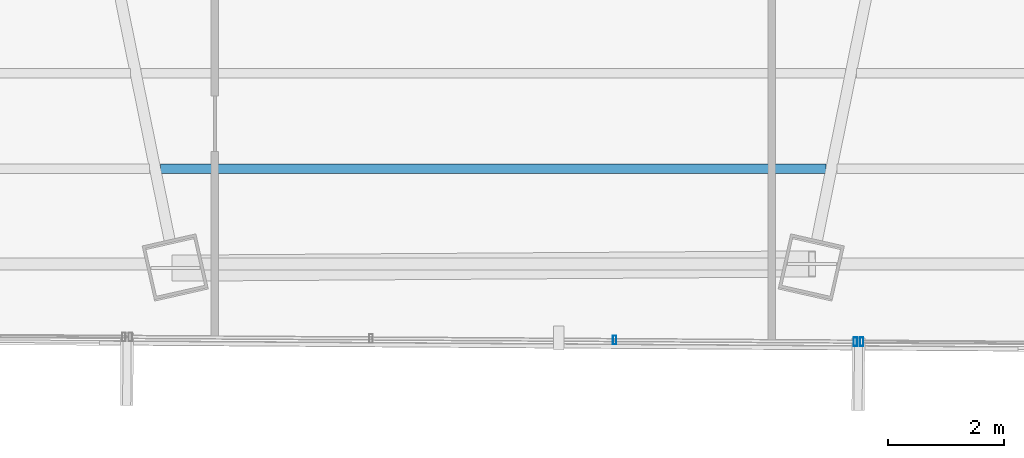
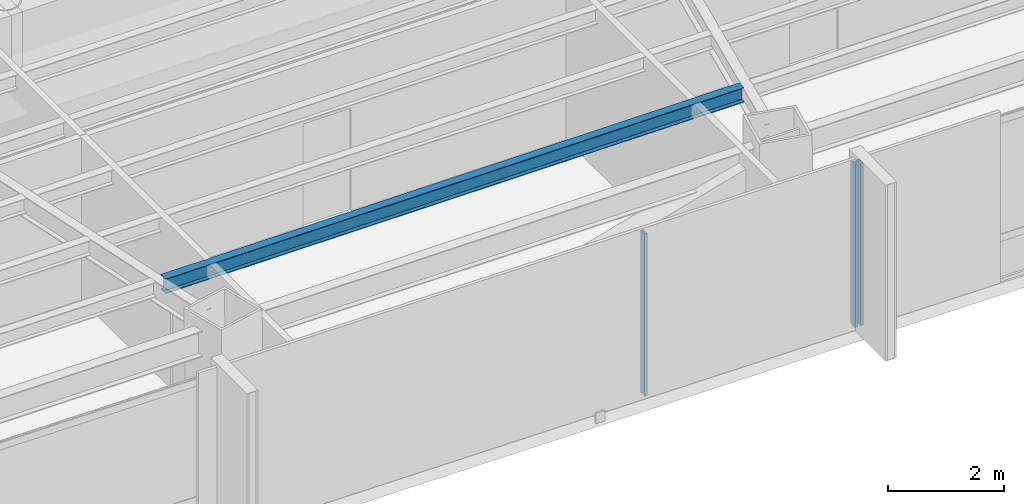
# One storey, part 10 of 41: 3 members, 1 beam, 2 elements without a shape of their own.
"""IFC4 building model written with IfcOpenShell, lengths in metres."""

import ifcopenshell
import ifcopenshell.guid

model = None  # the IFC model being written
_history = None  # IfcOwnerHistory: only IFC2X3 demands one
_inside = {}  # id of a spatial element -> (the spatial element, [elements in it])
_under = {}  # id of a project, library or spatial element -> (it, [spatial elements below it])
_declared = {}  # id of a project -> (the project, [libraries it declares])
_typed = {}  # id of a type object -> (the type object, [elements of that type])
_made_of = {}  # id of a material, layer set ... -> (it, [elements and type objects made of it])


def new_model(schema):
    """Start an empty IFC model of exactly this schema.

    Asked for "IFC4X3", IfcOpenShell would pick the latest addendum, in which some entities
    have other attributes; the version numbers below select the first issue.
    IFC2X3 requires an IfcOwnerHistory on every rooted entity: one is made here for all.
    """
    global model, _history
    if schema == "IFC4X3":
        model = ifcopenshell.file(schema_version=(4, 3, 0, 0))
    else:
        model = ifcopenshell.file(schema=schema)
    _inside.clear()
    _under.clear()
    _declared.clear()
    _typed.clear()
    _made_of.clear()
    _history = None
    if model.schema == "IFC2X3":
        org = make("IfcOrganization", Name="unknown")
        user = make(
            "IfcPersonAndOrganization",
            ThePerson=make("IfcPerson", FamilyName="unknown"),
            TheOrganization=org,
        )
        app = make(
            "IfcApplication",
            ApplicationDeveloper=org,
            Version="unknown",
            ApplicationFullName="unknown",
            ApplicationIdentifier="unknown",
        )
        _history = make(
            "IfcOwnerHistory",
            OwningUser=user,
            OwningApplication=app,
            ChangeAction="ADDED",
            CreationDate=0,
        )
    return model


def make(cls, **values):
    """One entity of the class cls with the attributes given. An attribute that is None is left unset."""
    return model.create_entity(
        cls, **{name: value for name, value in values.items() if value is not None}
    )


def rooted(cls, **values):
    """An entity with a GlobalId (a new one), such as an element, a storey or a relation."""
    return make(cls, GlobalId=ifcopenshell.guid.new(), OwnerHistory=_history, **values)


def si_unit(unit_type, name, prefix=None):
    """IfcSIUnit, for example si_unit("LENGTHUNIT", "METRE", prefix="MILLI")."""
    return make("IfcSIUnit", UnitType=unit_type, Prefix=prefix, Name=name)


def assignment(units):
    """IfcUnitAssignment: the units of a project."""
    return None if units is None else make("IfcUnitAssignment", Units=units)


def point(xyz):
    """IfcCartesianPoint."""
    return None if xyz is None else make("IfcCartesianPoint", Coordinates=xyz)


def direction(xyz):
    """IfcDirection."""
    return None if xyz is None else make("IfcDirection", DirectionRatios=xyz)


def frame(location, z_axis=None, x_axis=None):
    """IfcAxis2Placement3D, a coordinate frame: its origin and axes. An axis left out is left unset."""
    return make(
        "IfcAxis2Placement3D",
        Location=point(location),
        Axis=direction(z_axis),
        RefDirection=direction(x_axis),
    )


def frame_2d(location, x_axis=None):
    """IfcAxis2Placement2D, a coordinate frame in the plane: its origin and x axis."""
    return make(
        "IfcAxis2Placement2D", Location=point(location), RefDirection=direction(x_axis)
    )


def origin():
    """The frame at (0, 0, 0) with its axes left unset."""
    return frame((0.0, 0.0, 0.0))


def origin_2d():
    """The frame at (0, 0) in the plane with its x axis left unset."""
    return frame_2d((0.0, 0.0))


def place(relative_to, where):
    """IfcLocalPlacement: puts the frame where relative to a parent placement (None: the world)."""
    return make(
        "IfcLocalPlacement", PlacementRelTo=relative_to, RelativePlacement=where
    )


def context(
    kind, dimensions, precision=None, world=None, true_north=None, identifier=None
):
    """IfcGeometricRepresentationContext, for example the 3D "Model" context."""
    return make(
        "IfcGeometricRepresentationContext",
        ContextIdentifier=identifier,
        ContextType=kind,
        CoordinateSpaceDimension=dimensions,
        Precision=precision,
        WorldCoordinateSystem=world,
        TrueNorth=true_north,
    )


def subcontext(parent, identifier, kind, view, scale=None):
    """IfcGeometricRepresentationSubContext, for example "Body" below "Model"."""
    return make(
        "IfcGeometricRepresentationSubContext",
        ContextIdentifier=identifier,
        ContextType=kind,
        ParentContext=parent,
        TargetScale=scale,
        TargetView=view,
    )


def project(units=None, contexts=None):
    """IfcProject with its units and contexts."""
    return rooted(
        "IfcProject",
        Name="project",
        RepresentationContexts=contexts,
        UnitsInContext=assignment(units),
    )


def spatial(cls, under=None, at=None, **own):
    """A site, building, storey or space (cls), placed at a placement, below another one or the project."""
    s = rooted(cls, ObjectPlacement=at, **own)
    if under is not None:
        _under.setdefault(under.id(), (under, []))[1].append(s)
    return s


def profile(cls, at=None, kind="AREA", **sizes):
    """A parametric profile (cls). Its sizes go by their IFC names, for example OverallWidth=200.0."""
    return make(cls, ProfileType=kind, Position=at, **sizes)


def hollow_rectangle(**sizes):
    """IfcRectangleHollowProfileDef."""
    return profile("IfcRectangleHollowProfileDef", **sizes)


def i_section(**sizes):
    """IfcIShapeProfileDef."""
    return profile("IfcIShapeProfileDef", **sizes)


def extrude(swept, where, along, depth):
    """IfcExtrudedAreaSolid: the profile swept, set in the frame where, extruded along a direction by depth."""
    return make(
        "IfcExtrudedAreaSolid",
        SweptArea=swept,
        Position=where,
        ExtrudedDirection=direction(along),
        Depth=depth,
    )


def shape(context_of_items, identifier, shape_type, items):
    """IfcShapeRepresentation: the items that make up one representation, for example the "Body"."""
    return make(
        "IfcShapeRepresentation",
        ContextOfItems=context_of_items,
        RepresentationIdentifier=identifier,
        RepresentationType=shape_type,
        Items=items,
    )


def source(mapping_origin, context_of_items, identifier, shape_type, items):
    """IfcRepresentationMap: a shape defined once, which mapped items show again and again."""
    return make(
        "IfcRepresentationMap",
        MappingOrigin=mapping_origin,
        MappedRepresentation=shape(context_of_items, identifier, shape_type, items),
    )


def transform(
    local_origin,
    x_axis=None,
    y_axis=None,
    z_axis=None,
    scale=None,
    scale2=None,
    scale3=None,
    uniform=True,
):
    """IfcCartesianTransformationOperator3D, or its non-uniform kind. x_axis, y_axis, z_axis: its Axis1, 2, 3."""
    if uniform:
        return make(
            "IfcCartesianTransformationOperator3D",
            Axis1=direction(x_axis),
            Axis2=direction(y_axis),
            LocalOrigin=point(local_origin),
            Scale=scale,
            Axis3=direction(z_axis),
        )
    return make(
        "IfcCartesianTransformationOperator3DnonUniform",
        Axis1=direction(x_axis),
        Axis2=direction(y_axis),
        LocalOrigin=point(local_origin),
        Scale=scale,
        Axis3=direction(z_axis),
        Scale2=scale2,
        Scale3=scale3,
    )


def mapped(mapping_source, mapping_target):
    """IfcMappedItem: shows the shape of a source again, moved by a transform."""
    return make(
        "IfcMappedItem", MappingSource=mapping_source, MappingTarget=mapping_target
    )


def material(Name=None, Category=None):
    """IfcMaterial."""
    return make("IfcMaterial", Name=Name, Category=Category)


def material_profile(
    of_material, cross_section, Name=None, Category=None, Priority=None
):
    """IfcMaterialProfile: a cross section and its material."""
    return make(
        "IfcMaterialProfile",
        Name=Name,
        Material=of_material,
        Profile=cross_section,
        Priority=Priority,
        Category=Category,
    )


def profile_set(profiles, Name=None, composite=None):
    """IfcMaterialProfileSet."""
    return make(
        "IfcMaterialProfileSet",
        Name=Name,
        MaterialProfiles=profiles,
        CompositeProfile=composite,
    )


def made_of(thing, what):
    """Note that an element or type object is made of a material, layer set ...; save() writes the relation."""
    if what is not None:
        _made_of.setdefault(what.id(), (what, []))[1].append(thing)
    return thing


def type_object(cls, material=None, **own):
    """A type object (cls), such as IfcWallType, which elements share."""
    return made_of(rooted(cls, **own), material)


def type_shapes(of_type, sources):
    """Give a type object the sources (RepresentationMaps) that its elements show as mapped items."""
    of_type.RepresentationMaps = sources


def element(
    cls,
    number,
    at=None,
    inside=None,
    cuts=None,
    type_object=None,
    material=None,
    context=None,
    identifier="Body",
    shape_type=None,
    held_by="IfcProductDefinitionShape",
    body=None,
    shapes=None,
    **own,
):
    """One element of the class cls, such as IfcWall. Its Tag is "e" and its number.

    at: its placement. inside: the storey or other place that contains it. cuts: it is an
    opening in that element (IfcRelVoidsElement). A single representation is given by context,
    identifier, shape_type and body (its items); several are given by shapes. held_by: the class
    of the entity that holds the representations. save() writes the other relations.
    """
    e = rooted(cls, Tag="e%d" % number, ObjectPlacement=at, **own)
    if body is not None:
        shapes = [shape(context, identifier, shape_type, body)]
    if shapes is not None:
        e.Representation = make(held_by, Representations=shapes)
    if inside is not None:
        _inside.setdefault(inside.id(), (inside, []))[1].append(e)
    if cuts is not None:
        rooted(
            "IfcRelVoidsElement", RelatingBuildingElement=cuts, RelatedOpeningElement=e
        )
    if type_object is not None:
        _typed.setdefault(type_object.id(), (type_object, []))[1].append(e)
    return made_of(e, material)


def aggregate(whole, parts):
    """IfcRelAggregates: a whole, such as a stair, and the parts it consists of."""
    return rooted("IfcRelAggregates", RelatingObject=whole, RelatedObjects=parts)


def save(model, path):
    """Write the relations noted so far, then the file.

    IfcRelAggregates (storeys below a building ...), IfcRelContainedInSpatialStructure (elements
    in a storey), IfcRelDefinesByType, IfcRelAssociatesMaterial and IfcRelDeclares: one each for
    every whole, place, type object, material and project.
    """
    for whole, parts in _under.values():
        aggregate(whole, parts)
    for where, things in _inside.values():
        rooted(
            "IfcRelContainedInSpatialStructure",
            RelatedElements=things,
            RelatingStructure=where,
        )
    for kind, things in _typed.values():
        rooted("IfcRelDefinesByType", RelatedObjects=things, RelatingType=kind)
    for what, things in _made_of.values():
        rooted("IfcRelAssociatesMaterial", RelatedObjects=things, RelatingMaterial=what)
    for by, libraries in _declared.values():
        rooted("IfcRelDeclares", RelatingContext=by, RelatedDefinitions=libraries)
    model.write(path)


model = new_model("IFC4")

# Units and contexts
model_context = context("Model", 3, precision=1e-05, world=origin(), true_north=direction((0.0, 1.0)))
body_context = subcontext(model_context, "Body", "Model", "MODEL_VIEW")
ifc_project = project(units=[si_unit("LENGTHUNIT", "METRE"), si_unit("AREAUNIT", "SQUARE_METRE"), si_unit("VOLUMEUNIT", "CUBIC_METRE"), si_unit("PLANEANGLEUNIT", "RADIAN"), si_unit("MASSUNIT", "GRAM", prefix="KILO")], contexts=[model_context])

# Site, building, storey
site_placement = place(None, origin())
site = spatial("IfcSite", under=ifc_project, at=site_placement, CompositionType="ELEMENT")
building_placement = place(site_placement, origin())
building = spatial("IfcBuilding", under=site, at=building_placement, Name="Caelisora Broadcast Tower", CompositionType="ELEMENT")
storey_placement = place(building_placement, frame((0.0, 0.0, 162.14990234375)))
storey = spatial("IfcBuildingStorey", under=building, at=storey_placement, Name="L42", CompositionType="ELEMENT", Elevation=162.14990234375)

# Beam
ifc_material_1 = material(Name="Steel Grade 350 (AS/NZS 3679.1)", Category="steel")
ifc_material_profile_1 = material_profile(ifc_material_1, i_section(OverallWidth=0.166015625, OverallDepth=0.30712890625, WebThickness=0.006591796875, FlangeThickness=0.01171875, at=origin_2d()), Name="Steel Grade 350 (AS/NZS 3679.1)")
ifc_profile_set_1 = profile_set([ifc_material_profile_1], Name="Steel Grade 350 (AS/NZS 3679.1)")
beam_type = type_object("IfcBeamType", Name="SB03", PredefinedType="JOIST", material=ifc_profile_set_1)
shared_shape_1 = source(origin(), body_context, "Body", "SweptSolid", [
    extrude(i_section(OverallWidth=0.166015625, OverallDepth=0.30712890625, WebThickness=0.006591796875, FlangeThickness=0.01171875, at=origin_2d()), origin(), (0.0, 0.0, 1.0), 11.474609375),
])
type_shapes(beam_type, [shared_shape_1])
beam_placement = place(storey_placement, frame((32.2626953125, 9.18115234375, 3.24658203125), z_axis=(1.0, 0.0, 0.0), x_axis=(0.0, 1.0, 0.0)))
element("IfcBeam", 1, at=beam_placement, inside=storey, type_object=beam_type, Name="L42 beam SB03", PredefinedType="JOIST", context=body_context, shape_type="MappedRepresentation", body=[
    mapped(shared_shape_1, transform((0.0, 0.0, 0.0), scale=1.0)),
])

# Curtain wall, member
ifc_material_2 = material(Name="Unitised Aluminium and Low-E Glass Curtain Wall", Category="glass")
curtain_wall_type_1 = type_object("IfcCurtainWallType", Name="CW-Z3", PredefinedType="NOTDEFINED", material=ifc_material_2)
curtain_wall_1_placement = place(storey_placement, origin())
curtain_wall_1 = element("IfcCurtainWall", 2, at=curtain_wall_1_placement, inside=storey, type_object=curtain_wall_type_1, Name="L42 curtain wall CW-Z3", PredefinedType="NOTDEFINED")
ifc_material_3 = material(Name="Aluminium 6063-T6 Anodised Terracotta Bronze", Category="aluminium")
ifc_material_profile_2 = material_profile(ifc_material_3, hollow_rectangle(XDim=0.06005859375, YDim=0.14990234375, WallThickness=0.00341796875, at=origin_2d()), Name="Aluminium 6063-T6 Anodised Terracotta Bronze")
ifc_profile_set_2 = profile_set([ifc_material_profile_2], Name="Aluminium 6063-T6 Anodised Terracotta Bronze")
member_type = type_object("IfcMemberType", Name="CWM-03", PredefinedType="MULLION", material=ifc_profile_set_2)
shared_shape_2 = source(origin(), body_context, "Body", "SweptSolid", [
    extrude(hollow_rectangle(XDim=0.06005859375, YDim=0.14990234375, WallThickness=0.00341796875, at=origin_2d()), origin(), (0.0, 0.0, 1.0), 3.400146484375),
])
type_shapes(member_type, [shared_shape_2])
member_1_placement = place(storey_placement, frame((44.353271484375, 6.197021484375, 0.0), z_axis=(0.0, 0.0, 1.0), x_axis=(1.0, 0.0, 0.0)))
member_1 = element("IfcMember", 3, at=member_1_placement, type_object=member_type, Name="L42-CW-B05 mullion #3", PredefinedType="MULLION", context=body_context, shape_type="MappedRepresentation", body=[
    mapped(shared_shape_2, transform((0.0, 0.0, 0.0), scale=1.0)),
])
aggregate(curtain_wall_1, [member_1])

# Curtain wall, members
ifc_material_4 = material(Name="Unitised Aluminium Insulated Shadow-Box Spandrel Curtain Wall", Category="aluminium")
curtain_wall_type_2 = type_object("IfcCurtainWallType", Name="CW-SP2", PredefinedType="NOTDEFINED", material=ifc_material_4)
curtain_wall_2_placement = place(storey_placement, origin())
curtain_wall_2 = element("IfcCurtainWall", 4, at=curtain_wall_2_placement, inside=storey, type_object=curtain_wall_type_2, Name="L42 curtain wall CW-SP2", PredefinedType="NOTDEFINED")
member_2_placement = place(storey_placement, frame((44.2431640625, 6.197509765625, 0.0), z_axis=(0.0, 0.0, 1.0), x_axis=(1.0, 0.0, 0.0)))
member_2 = element("IfcMember", 5, at=member_2_placement, type_object=member_type, Name="L42-CW-B06 mullion #0", PredefinedType="MULLION", context=body_context, shape_type="MappedRepresentation", body=[
    mapped(shared_shape_2, transform((0.0, 0.0, 0.0), scale=1.0)),
])
member_3_placement = place(storey_placement, frame((40.09228515625, 6.224609375, 0.0), z_axis=(0.0, 0.0, 1.0), x_axis=(1.0, 0.0, 0.0)))
member_3 = element("IfcMember", 6, at=member_3_placement, type_object=member_type, Name="L42-CW-B06 mullion #1", PredefinedType="MULLION", context=body_context, shape_type="MappedRepresentation", body=[
    mapped(shared_shape_2, transform((0.0, 0.0, 0.0), scale=1.0)),
])
aggregate(curtain_wall_2, [member_2, member_3])

save(model, "model.ifc")
